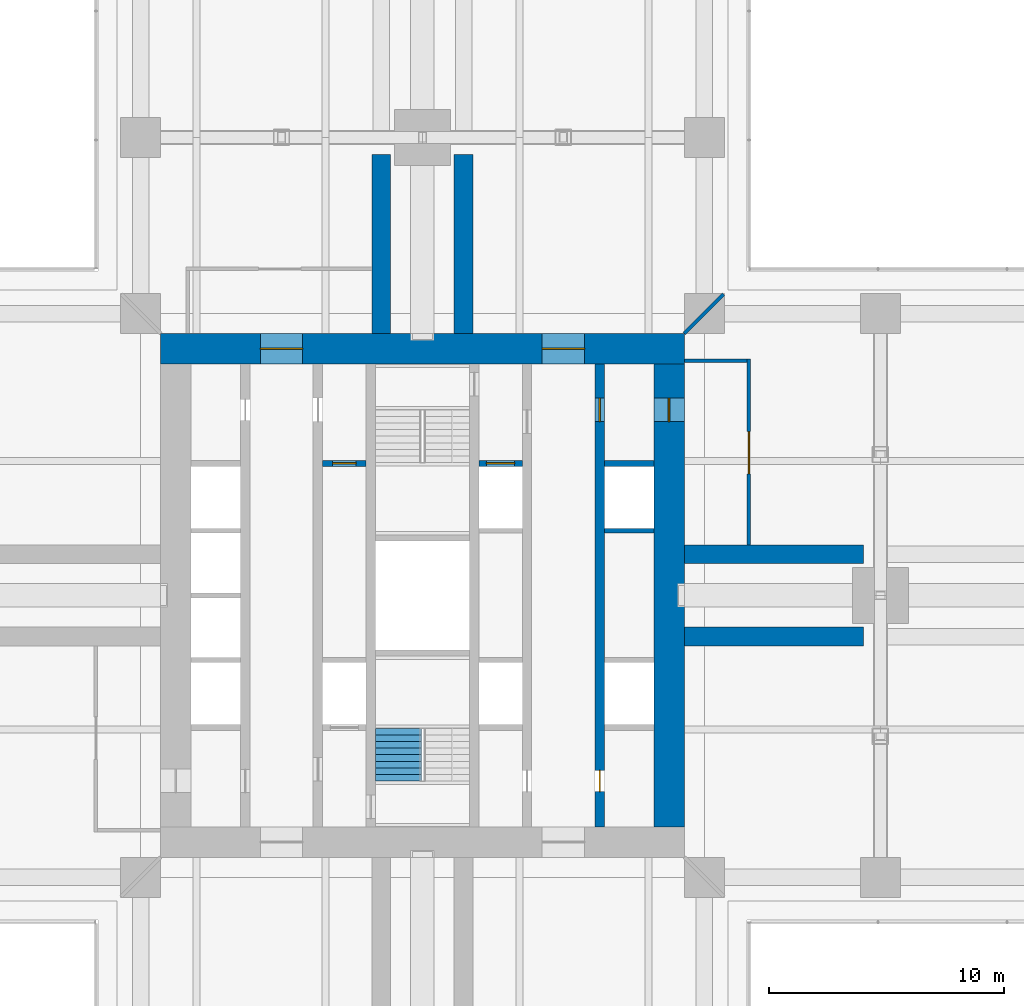
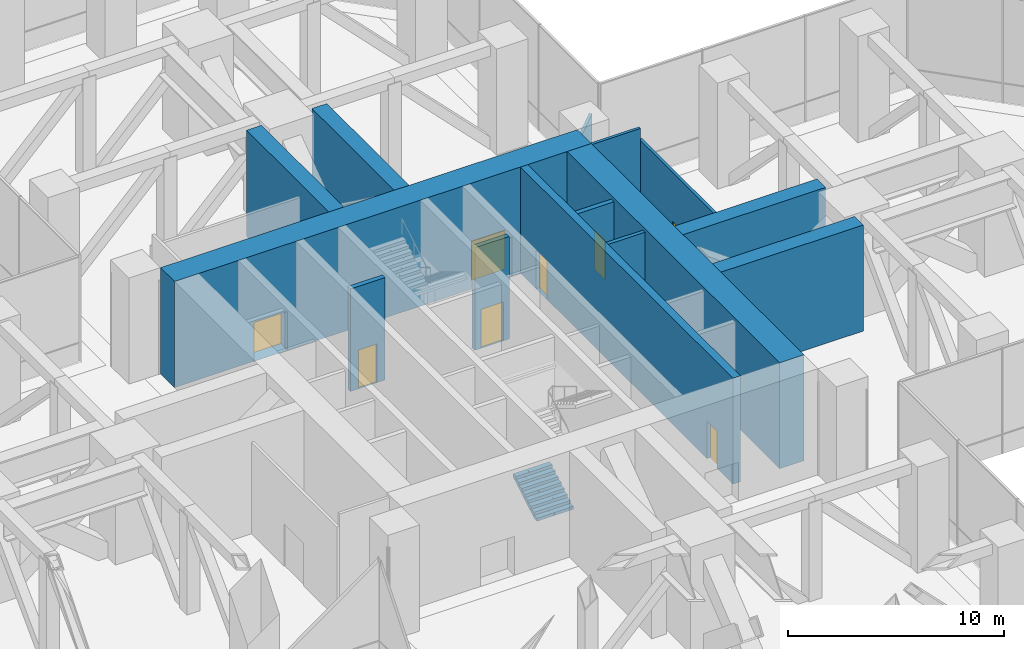
# One storey, part 15 of 19: 14 walls, 8 doors, 1 stair flight, 8 openings, 1 element without a shape of its own.
"""IFC4 building model written with IfcOpenShell, lengths in metres."""

from ifc_helpers import new_model, si_unit, direction, frame, frame_2d, origin, place, context, subcontext, project, spatial, polyline, rectangle, outline, extrude, material, layer, layer_set, type_object, element, fill, aggregate, save


model = new_model("IFC4")

# Units and contexts
model_context = context("Model", 3, precision=1e-05, world=origin(), true_north=direction((0.0, 1.0)))
body_context = subcontext(model_context, "Body", "Model", "MODEL_VIEW")
ifc_project = project(units=[si_unit("LENGTHUNIT", "METRE"), si_unit("AREAUNIT", "SQUARE_METRE"), si_unit("VOLUMEUNIT", "CUBIC_METRE"), si_unit("PLANEANGLEUNIT", "RADIAN"), si_unit("MASSUNIT", "GRAM", prefix="KILO")], contexts=[model_context])

# Site, building, storey
site_placement = place(None, origin())
site = spatial("IfcSite", under=ifc_project, at=site_placement, CompositionType="ELEMENT")
building_placement = place(site_placement, origin())
building = spatial("IfcBuilding", under=site, at=building_placement, Name="Mizan Broadcast Tower", CompositionType="ELEMENT")
storey_placement = place(building_placement, frame((0.0, 0.0, 37.5)))
storey = spatial("IfcBuildingStorey", under=building, at=storey_placement, Name="L06", CompositionType="ELEMENT", Elevation=37.5)

# Wall, openings, doors
ifc_material_1 = material(Name="Concrete C70/85", Category="concrete")
ifc_layer_1 = layer(ifc_material_1, 0.39990234375)
ifc_layer_set_1 = layer_set([ifc_layer_1], Name="Concrete C70/85")
wall_type_1 = type_object("IfcWallType", Name="CORE INTERNAL WALL 400", PredefinedType="SHEAR", material=ifc_layer_set_1)
wall_1_placement = place(storey_placement, frame((7.550048828125, 9.85009765625, 0.0), z_axis=(0.0, 0.0, 1.0), x_axis=(0.0, -1.0, 0.0)))
wall_1 = element("IfcWall", 1, at=wall_1_placement, inside=storey, type_object=wall_type_1, Name="Core wall CORE/XW1E", PredefinedType="SHEAR", context=body_context, shape_type="SweptSolid", body=[
    extrude(rectangle(XDim=19.7001953125, YDim=0.39990234375, at=frame_2d((9.85009765625, 0.0))), origin(), (0.0, 0.0, 1.0), 6.0),
])
opening_1_placement = place(wall_1_placement, frame((1.449951171875, 0.0, 0.0)))
opening_1 = element("IfcOpeningElement", 2, at=opening_1_placement, cuts=wall_1, Name="Opening D10F", PredefinedType="OPENING", context=body_context, shape_type="SweptSolid", body=[
    extrude(rectangle(XDim=1.0, YDim=2.199951171875, at=frame_2d((0.5, 1.10009765625))), frame((0.0, 0.2099609375, 0.0), z_axis=(0.0, -1.0, 0.0), x_axis=(1.0, 0.0, 0.0)), (0.0, 0.0, 1.0), 0.419921875),
])
opening_2_placement = place(wall_1_placement, frame((17.300048828125, 0.0, 0.0)))
opening_2 = element("IfcOpeningElement", 3, at=opening_2_placement, cuts=wall_1, Name="Opening D09", PredefinedType="OPENING", context=body_context, shape_type="SweptSolid", body=[
    extrude(rectangle(XDim=0.89990234375, YDim=2.10009765625, at=frame_2d((0.449951171875, 1.050048828125))), frame((0.0, 0.2099609375, 0.0), z_axis=(0.0, -1.0, 0.0), x_axis=(1.0, 0.0, 0.0)), (0.0, 0.0, 1.0), 0.419921875),
])
ifc_material_2 = material(Name="Steel door leaf in steel frame", Category="steel")
door_type_1 = type_object("IfcDoorType", Name="FIRE DOOR 1000 FD90", OperationType="SINGLE_SWING_LEFT", PredefinedType="DOOR", material=ifc_material_2)
door_1_placement = place(opening_1_placement, origin())
door_1 = element("IfcDoor", 4, at=door_1_placement, inside=storey, type_object=door_type_1, Name="East core passage door", OperationType="SINGLE_SWING_LEFT", OverallHeight=2.199951171875, OverallWidth=1.0, PredefinedType="DOOR", context=body_context, shape_type="SweptSolid", body=[
    extrude(rectangle(XDim=1.0, YDim=2.199951171875, at=frame_2d((0.5, 1.10009765625))), frame((0.0, 0.02490234375, 0.0), z_axis=(0.0, -1.0, 0.0), x_axis=(1.0, 0.0, 0.0)), (0.0, 0.0, 1.0), 0.050048828125),
])
fill(opening_1, door_1)
ifc_material_3 = material(Name="Timber door leaf in aluminium frame", Category="wood")
door_type_2 = type_object("IfcDoorType", Name="TOILET DOOR 900", OperationType="SINGLE_SWING_LEFT", PredefinedType="DOOR", material=ifc_material_3)
door_2_placement = place(opening_2_placement, origin())
door_2 = element("IfcDoor", 5, at=door_2_placement, inside=storey, type_object=door_type_2, Name="Female WC door", OperationType="SINGLE_SWING_RIGHT", OverallHeight=2.10009765625, OverallWidth=0.89990234375, PredefinedType="DOOR", context=body_context, shape_type="SweptSolid", body=[
    extrude(rectangle(XDim=0.89990234375, YDim=2.10009765625, at=frame_2d((0.449951171875, 1.050048828125))), frame((0.0, 0.02490234375, 0.0), z_axis=(0.0, -1.0, 0.0), x_axis=(1.0, 0.0, 0.0)), (0.0, 0.0, 1.0), 0.050048828125),
])
fill(opening_2, door_2)

ifc_material_4 = material(Name="Concrete C70/85", Category="concrete")
ifc_layer_2 = layer(ifc_material_4, 1.300048828125)
ifc_layer_set_2 = layer_set([ifc_layer_2], Name="Concrete C70/85")
wall_type_2 = type_object("IfcWallType", Name="CORE WALL 1300", PredefinedType="SHEAR", material=ifc_layer_set_2)
wall_2_placement = place(storey_placement, frame((-11.14990234375, 10.5, 0.0), z_axis=(0.0, 0.0, 1.0), x_axis=(1.0, 0.0, 0.0)))
wall_2 = element("IfcWall", 6, at=wall_2_placement, inside=storey, type_object=wall_type_2, Name="Core wall N L06", PredefinedType="SHEAR", context=body_context, shape_type="SweptSolid", body=[
    extrude(rectangle(XDim=22.2998046875, YDim=1.300048828125, at=frame_2d((11.14990234375, 0.0))), origin(), (0.0, 0.0, 1.0), 6.0),
])
opening_3_placement = place(wall_2_placement, frame((4.25, 0.0, 0.0)))
opening_3 = element("IfcOpeningElement", 7, at=opening_3_placement, cuts=wall_2, Name="Opening D18F", PredefinedType="OPENING", context=body_context, shape_type="SweptSolid", body=[
    extrude(rectangle(XDim=1.800048828125, YDim=2.199951171875, at=frame_2d((0.89990234375, 1.10009765625))), frame((0.0, 0.659912109375, 0.0), z_axis=(0.0, -1.0, 0.0), x_axis=(1.0, 0.0, 0.0)), (0.0, 0.0, 1.0), 1.320068359375),
])
opening_4_placement = place(wall_2_placement, frame((16.25, 0.0, 0.0)))
opening_4 = element("IfcOpeningElement", 8, at=opening_4_placement, cuts=wall_2, Name="Opening D18F", PredefinedType="OPENING", context=body_context, shape_type="SweptSolid", body=[
    extrude(rectangle(XDim=1.800048828125, YDim=2.199951171875, at=frame_2d((0.89990234375, 1.10009765625))), frame((0.0, 0.659912109375, 0.0), z_axis=(0.0, -1.0, 0.0), x_axis=(1.0, 0.0, 0.0)), (0.0, 0.0, 1.0), 1.320068359375),
])
ifc_material_5 = material(Name="Steel door leaf in steel frame", Category="steel")
door_type_3 = type_object("IfcDoorType", Name="LOBBY DOUBLE DOOR 1800 FD90", OperationType="DOUBLE_DOOR_DOUBLE_SWING", PredefinedType="DOOR", material=ifc_material_5)
door_3_placement = place(opening_3_placement, origin())
door_3 = element("IfcDoor", 9, at=door_3_placement, inside=storey, type_object=door_type_3, Name="West lift lobby north door", OperationType="DOUBLE_DOOR_DOUBLE_SWING", OverallHeight=2.199951171875, OverallWidth=1.800048828125, PredefinedType="DOOR", context=body_context, shape_type="SweptSolid", body=[
    extrude(rectangle(XDim=1.800048828125, YDim=2.199951171875, at=frame_2d((0.89990234375, 1.10009765625))), frame((0.0, 0.02490234375, 0.0), z_axis=(0.0, -1.0, 0.0), x_axis=(1.0, 0.0, 0.0)), (0.0, 0.0, 1.0), 0.050048828125),
])
fill(opening_3, door_3)
door_4_placement = place(opening_4_placement, origin())
door_4 = element("IfcDoor", 10, at=door_4_placement, inside=storey, type_object=door_type_3, Name="East lift lobby north door", OperationType="DOUBLE_DOOR_DOUBLE_SWING", OverallHeight=2.199951171875, OverallWidth=1.800048828125, PredefinedType="DOOR", context=body_context, shape_type="SweptSolid", body=[
    extrude(rectangle(XDim=1.800048828125, YDim=2.199951171875, at=frame_2d((0.89990234375, 1.10009765625))), frame((0.0, 0.02490234375, 0.0), z_axis=(0.0, -1.0, 0.0), x_axis=(1.0, 0.0, 0.0)), (0.0, 0.0, 1.0), 0.050048828125),
])
fill(opening_4, door_4)

# Wall, opening, door
wall_3_placement = place(storey_placement, frame((10.5, -9.85009765625, 0.0), z_axis=(0.0, 0.0, 1.0), x_axis=(0.0, 1.0, 0.0)))
wall_3 = element("IfcWall", 11, at=wall_3_placement, inside=storey, type_object=wall_type_2, Name="Core wall E L06", PredefinedType="SHEAR", context=body_context, shape_type="SweptSolid", body=[
    extrude(rectangle(XDim=19.7001953125, YDim=1.300048828125, at=frame_2d((9.85009765625, 0.0))), origin(), (0.0, 0.0, 1.0), 6.0),
])
opening_5_placement = place(wall_3_placement, frame((17.25, 0.0, 0.0)))
opening_5 = element("IfcOpeningElement", 12, at=opening_5_placement, cuts=wall_3, Name="Opening D10F", PredefinedType="OPENING", context=body_context, shape_type="SweptSolid", body=[
    extrude(rectangle(XDim=1.0, YDim=2.199951171875, at=frame_2d((0.5, 1.10009765625))), frame((0.0, 0.659912109375, 0.0), z_axis=(0.0, -1.0, 0.0), x_axis=(1.0, 0.0, 0.0)), (0.0, 0.0, 1.0), 1.320068359375),
])
door_5_placement = place(opening_5_placement, origin())
door_5 = element("IfcDoor", 13, at=door_5_placement, inside=storey, type_object=door_type_1, Name="East core passage arm door", OperationType="SINGLE_SWING_RIGHT", OverallHeight=2.199951171875, OverallWidth=1.0, PredefinedType="DOOR", context=body_context, shape_type="SweptSolid", body=[
    extrude(rectangle(XDim=1.0, YDim=2.199951171875, at=frame_2d((0.5, 1.10009765625))), frame((0.0, 0.02490234375, 0.0), z_axis=(0.0, -1.0, 0.0), x_axis=(1.0, 0.0, 0.0)), (0.0, 0.0, 1.0), 0.050048828125),
])
fill(opening_5, door_5)

# Wall
ifc_material_6 = material(Name="Concrete blockwork", Category="masonry")
ifc_layer_3 = layer(ifc_material_6, 0.199951171875)
ifc_layer_set_3 = layer_set([ifc_layer_3], Name="Concrete blockwork")
wall_type_3 = type_object("IfcWallType", Name="LIFT SHAFT WALL 200", PredefinedType="SOLIDWALL", material=ifc_layer_set_3)
wall_4_placement = place(storey_placement, frame((7.75, 2.75, 0.0), z_axis=(0.0, 0.0, 1.0), x_axis=(1.0, 0.0, 0.0)))
element("IfcWall", 14, at=wall_4_placement, inside=storey, type_object=wall_type_3, Name="Lift shaft wall CORE/SE1-3", PredefinedType="SOLIDWALL", context=body_context, shape_type="SweptSolid", body=[
    extrude(rectangle(XDim=2.10009765625, YDim=0.199951171875, at=frame_2d((1.050048828125, 0.0))), origin(), (0.0, 0.0, 1.0), 5.800048828125),
])

# Wall, opening, door
ifc_material_7 = material(Name="Concrete blockwork", Category="masonry")
ifc_layer_4 = layer(ifc_material_7, 0.25)
ifc_layer_set_4 = layer_set([ifc_layer_4], Name="Concrete blockwork")
wall_type_4 = type_object("IfcWallType", Name="LOBBY ENCLOSURE WALL 250", PredefinedType="SOLIDWALL", material=ifc_layer_set_4)
wall_5_placement = place(storey_placement, frame((-4.25, 5.625, 0.0), z_axis=(0.0, 0.0, 1.0), x_axis=(1.0, 0.0, 0.0)))
wall_5 = element("IfcWall", 15, at=wall_5_placement, inside=storey, type_object=wall_type_4, Name="Lobby enclosure wall CORE/BW2N", PredefinedType="SOLIDWALL", context=body_context, shape_type="SweptSolid", body=[
    extrude(rectangle(XDim=1.85009765625, YDim=0.25, at=frame_2d((0.925048828125, 0.0))), origin(), (0.0, 0.0, 1.0), 5.800048828125),
])
opening_6_placement = place(wall_5_placement, frame((0.425048828125, 0.0, 0.0)))
opening_6 = element("IfcOpeningElement", 16, at=opening_6_placement, cuts=wall_5, Name="Opening D10F", PredefinedType="OPENING", context=body_context, shape_type="SweptSolid", body=[
    extrude(rectangle(XDim=1.0, YDim=2.199951171875, at=frame_2d((0.5, 1.10009765625))), frame((0.0, 0.135009765625, 0.0), z_axis=(0.0, -1.0, 0.0), x_axis=(1.0, 0.0, 0.0)), (0.0, 0.0, 1.0), 0.27001953125),
])
door_6_placement = place(opening_6_placement, origin())
door_6 = element("IfcDoor", 17, at=door_6_placement, inside=storey, type_object=door_type_1, Name="Pressurisation plant room door", OperationType="SINGLE_SWING_RIGHT", OverallHeight=2.199951171875, OverallWidth=1.0, PredefinedType="DOOR", context=body_context, shape_type="SweptSolid", body=[
    extrude(rectangle(XDim=1.0, YDim=2.199951171875, at=frame_2d((0.5, 1.10009765625))), frame((0.0, 0.02490234375, 0.0), z_axis=(0.0, -1.0, 0.0), x_axis=(1.0, 0.0, 0.0)), (0.0, 0.0, 1.0), 0.050048828125),
])
fill(opening_6, door_6)

wall_6_placement = place(storey_placement, frame((2.39990234375, 5.625, 0.0), z_axis=(0.0, 0.0, 1.0), x_axis=(1.0, 0.0, 0.0)))
wall_6 = element("IfcWall", 18, at=wall_6_placement, inside=storey, type_object=wall_type_4, Name="Lobby enclosure wall CORE/BE2N", PredefinedType="SOLIDWALL", context=body_context, shape_type="SweptSolid", body=[
    extrude(rectangle(XDim=1.85009765625, YDim=0.25, at=frame_2d((0.925048828125, 0.0))), origin(), (0.0, 0.0, 1.0), 5.800048828125),
])
opening_7_placement = place(wall_6_placement, frame((0.324951171875, 0.0, 0.0)))
opening_7 = element("IfcOpeningElement", 19, at=opening_7_placement, cuts=wall_6, Name="Opening LDF", PredefinedType="OPENING", context=body_context, shape_type="SweptSolid", body=[
    extrude(rectangle(XDim=1.199951171875, YDim=2.199951171875, at=frame_2d((0.60009765625, 1.10009765625))), frame((0.0, 0.135009765625, 0.0), z_axis=(0.0, -1.0, 0.0), x_axis=(1.0, 0.0, 0.0)), (0.0, 0.0, 1.0), 0.27001953125),
])
ifc_material_8 = material(Name="Steel door leaf in steel frame", Category="steel")
door_type_4 = type_object("IfcDoorType", Name="FIREFIGHTING LIFT LANDING DOOR 1200", OperationType="SLIDING_TO_LEFT", PredefinedType="DOOR", material=ifc_material_8)
door_7_placement = place(opening_7_placement, origin())
door_7 = element("IfcDoor", 20, at=door_7_placement, inside=storey, type_object=door_type_4, Name="Landing door FF2", OperationType="SLIDING_TO_LEFT", OverallHeight=2.199951171875, OverallWidth=1.199951171875, PredefinedType="DOOR", context=body_context, shape_type="SweptSolid", body=[
    extrude(rectangle(XDim=1.199951171875, YDim=2.199951171875, at=frame_2d((0.60009765625, 1.10009765625))), frame((0.0, 0.02490234375, 0.0), z_axis=(0.0, -1.0, 0.0), x_axis=(1.0, 0.0, 0.0)), (0.0, 0.0, 1.0), 0.050048828125),
])
fill(opening_7, door_7)

# Walls
wall_7_placement = place(storey_placement, frame((7.75, 5.625, 0.0), z_axis=(0.0, 0.0, 1.0), x_axis=(1.0, 0.0, 0.0)))
element("IfcWall", 21, at=wall_7_placement, inside=storey, type_object=wall_type_4, Name="Lobby enclosure wall CORE/BE1N", PredefinedType="SOLIDWALL", context=body_context, shape_type="SweptSolid", body=[
    extrude(rectangle(XDim=2.10009765625, YDim=0.25, at=frame_2d((1.050048828125, 0.0))), origin(), (0.0, 0.0, 1.0), 5.800048828125),
])
ifc_material_9 = material(Name="Gypsum board on steel studs", Category="steel")
ifc_layer_5 = layer(ifc_material_9, 0.14990234375)
ifc_layer_set_5 = layer_set([ifc_layer_5], Name="Gypsum board on steel studs")
wall_type_5 = type_object("IfcWallType", Name="PARTITION 150", PredefinedType="PARTITIONING", material=ifc_layer_set_5)
wall_8_placement = place(storey_placement, frame((11.14990234375, 11.14990234375, 0.0), z_axis=(0.0, 0.0, 1.0), x_axis=(0.707106781187, 0.707106781187, 0.0)))
element("IfcWall", 22, at=wall_8_placement, inside=storey, type_object=wall_type_5, Name="Partition PT/DGEN", PredefinedType="PARTITIONING", context=body_context, shape_type="SweptSolid", body=[
    extrude(rectangle(XDim=2.362060546875, YDim=0.14990234375, at=frame_2d((1.18115234375, 0.0))), origin(), (0.0, 0.0, 1.0), 5.320068359375),
])

# Wall, opening, door
ifc_material_10 = material(Name="Concrete blockwork", Category="masonry")
ifc_layer_6 = layer(ifc_material_10, 0.14990234375)
ifc_layer_set_6 = layer_set([ifc_layer_6], Name="Concrete blockwork")
wall_type_6 = type_object("IfcWallType", Name="PLANT ROOM ENCLOSURE WALL 150", PredefinedType="SOLIDWALL", material=ifc_layer_set_6)
wall_9_placement = place(storey_placement, frame((13.89990234375, 2.14990234375, 0.0), z_axis=(0.0, 0.0, 1.0), x_axis=(0.0, 1.0, 0.0)))
wall_9 = element("IfcWall", 23, at=wall_9_placement, inside=storey, type_object=wall_type_6, Name="Plant room wall PT/ELU", PredefinedType="SOLIDWALL", context=body_context, shape_type="SweptSolid", body=[
    extrude(rectangle(XDim=7.925048828125, YDim=0.14990234375, at=frame_2d((3.96240234375, 0.0))), origin(), (0.0, 0.0, 1.0), 5.179931640625),
])
opening_8_placement = place(wall_9_placement, frame((3.02490234375, 0.0, 0.0)))
opening_8 = element("IfcOpeningElement", 24, at=opening_8_placement, cuts=wall_9, Name="Opening D18P", PredefinedType="OPENING", context=body_context, shape_type="SweptSolid", body=[
    extrude(rectangle(XDim=1.800048828125, YDim=2.39990234375, at=frame_2d((0.89990234375, 1.199951171875))), frame((0.0, 0.0849609375, 0.0), z_axis=(0.0, -1.0, 0.0), x_axis=(1.0, 0.0, 0.0)), (0.0, 0.0, 1.0), 0.169921875),
])
ifc_material_11 = material(Name="Steel door leaf in steel frame", Category="steel")
door_type_5 = type_object("IfcDoorType", Name="PLANT ROOM DOUBLE DOOR 1800x2400 FD90", OperationType="DOUBLE_DOOR_DOUBLE_SWING", PredefinedType="DOOR", material=ifc_material_11)
door_8_placement = place(opening_8_placement, origin())
door_8 = element("IfcDoor", 25, at=door_8_placement, inside=storey, type_object=door_type_5, Name="Mechanical plant room door", OperationType="DOUBLE_DOOR_DOUBLE_SWING", OverallHeight=2.39990234375, OverallWidth=1.800048828125, PredefinedType="DOOR", context=body_context, shape_type="SweptSolid", body=[
    extrude(rectangle(XDim=1.800048828125, YDim=2.39990234375, at=frame_2d((0.89990234375, 1.199951171875))), frame((0.0, 0.02490234375, 0.0), z_axis=(0.0, -1.0, 0.0), x_axis=(1.0, 0.0, 0.0)), (0.0, 0.0, 1.0), 0.050048828125),
])
fill(opening_8, door_8)

# Walls
wall_10_placement = place(storey_placement, frame((11.14990234375, 10.0, 0.0), z_axis=(0.0, 0.0, 1.0), x_axis=(1.0, 0.0, 0.0)))
element("IfcWall", 26, at=wall_10_placement, inside=storey, type_object=wall_type_6, Name="Plant room wall PT/ELV", PredefinedType="SOLIDWALL", context=body_context, shape_type="SweptSolid", body=[
    extrude(rectangle(XDim=2.675048828125, YDim=0.14990234375, at=frame_2d((1.33740234375, 0.0))), origin(), (0.0, 0.0, 1.0), 5.8701171875),
])
ifc_material_12 = material(Name="Concrete C70/85", Category="concrete")
ifc_layer_7 = layer(ifc_material_12, 0.800048828125)
ifc_layer_set_7 = layer_set([ifc_layer_7], Name="Concrete C70/85")
wall_type_7 = type_object("IfcWallType", Name="SPINE WALL 800", PredefinedType="SHEAR", material=ifc_layer_set_7)
for number, where, z_axis, x_axis, name in (
    (27, (11.14990234375, -1.75, 0.0), (0.0, 0.0, 1.0), (1.0, 0.0, 0.0), "Spine wall ER L06"),
    (28, (11.14990234375, 1.75, 0.0), (0.0, 0.0, 1.0), (1.0, 0.0, 0.0), "Spine wall EL L06"),
    (29, (1.75, 11.14990234375, 0.0), (0.0, 0.0, 1.0), (0.0, 1.0, 0.0), "Spine wall NR L06"),
    (30, (-1.75, 11.14990234375, 0.0), (0.0, 0.0, 1.0), (0.0, 1.0, 0.0), "Spine wall NL L06"),
):
    element("IfcWall", number, at=place(storey_placement, frame(where, z_axis=z_axis, x_axis=x_axis)), inside=storey, type_object=wall_type_7, Name=name, PredefinedType="SHEAR", context=body_context, shape_type="SweptSolid", body=[
        extrude(rectangle(XDim=7.625, YDim=0.800048828125, at=frame_2d((3.8125, 0.0))), origin(), (0.0, 0.0, 1.0), 6.0),
    ])

# Stair, stair flight
ifc_material_13 = material(Name="Concrete C40/50", Category="concrete")
stair_type = type_object("IfcStairType", Name="EXIT STAIR", PredefinedType="HALF_TURN_STAIR", material=ifc_material_13)
stair_placement = place(storey_placement, origin())
stair = element("IfcStair", 31, at=stair_placement, inside=storey, type_object=stair_type, Name="Stair A L06", PredefinedType="HALF_TURN_STAIR")
ifc_material_14 = material(Name="Concrete C40/50", Category="concrete")
stair_flight_type = type_object("IfcStairFlightType", Name="EXIT STAIR FLIGHT", PredefinedType="STRAIGHT", material=ifc_material_14)
stair_flight_placement = place(storey_placement, frame((-1.02490234375, -7.89990234375, 0.0), z_axis=(0.0, 0.0, 1.0), x_axis=(0.0, 1.0, 0.0)))
stair_flight = element("IfcStairFlight", 32, at=stair_flight_placement, type_object=stair_flight_type, Name="A flight 1", NumberOfRisers=9, NumberOfTreads=8, PredefinedType="STRAIGHT", RiserHeight=0.166666667, TreadLength=0.28, context=body_context, shape_type="SweptSolid", body=[
    extrude(outline(polyline([(0.0, 0.0), (0.0, 0.166748046875), (0.280029296875, 0.166748046875), (0.280029296875, 0.333251953125), (0.56005859375, 0.333251953125), (0.56005859375, 0.5), (0.840087890625, 0.5), (0.840087890625, 0.666748046875), (1.1201171875, 0.666748046875), (1.1201171875, 0.833251953125), (1.39990234375, 0.833251953125), (1.39990234375, 1.0), (1.679931640625, 1.0), (1.679931640625, 1.166748046875), (1.9599609375, 1.166748046875), (1.9599609375, 1.333251953125), (2.239990234375, 1.333251953125), (2.239990234375, 1.5), (2.239990234375, 1.158935546875), (0.29296875, 0.0), (0.0, 0.0)])), frame((0.0, 0.97509765625, 0.0), z_axis=(0.0, -1.0, 0.0), x_axis=(1.0, 0.0, 0.0)), (0.0, 0.0, 1.0), 0.4873046875),
    extrude(outline(polyline([(0.0, 0.0), (0.0, 0.166748046875), (0.280029296875, 0.166748046875), (0.280029296875, 0.333251953125), (0.56005859375, 0.333251953125), (0.56005859375, 0.5), (0.840087890625, 0.5), (0.840087890625, 0.666748046875), (1.1201171875, 0.666748046875), (1.1201171875, 0.833251953125), (1.39990234375, 0.833251953125), (1.39990234375, 1.0), (1.679931640625, 1.0), (1.679931640625, 1.166748046875), (1.9599609375, 1.166748046875), (1.9599609375, 1.333251953125), (2.239990234375, 1.333251953125), (2.239990234375, 1.5), (2.239990234375, 1.158935546875), (0.29296875, 0.0), (0.0, 0.0)])), frame((0.0, 0.4873046875, 0.0), z_axis=(0.0, -1.0, 0.0), x_axis=(1.0, 0.0, 0.0)), (0.0, 0.0, 1.0), 0.2431640625),
    extrude(outline(polyline([(0.0, 0.0), (0.0, 0.166748046875), (0.280029296875, 0.166748046875), (0.280029296875, 0.333251953125), (0.56005859375, 0.333251953125), (0.56005859375, 0.5), (0.840087890625, 0.5), (0.840087890625, 0.666748046875), (1.1201171875, 0.666748046875), (1.1201171875, 0.833251953125), (1.39990234375, 0.833251953125), (1.39990234375, 1.0), (1.679931640625, 1.0), (1.679931640625, 1.166748046875), (1.9599609375, 1.166748046875), (1.9599609375, 1.333251953125), (2.239990234375, 1.333251953125), (2.239990234375, 1.5), (2.239990234375, 1.158935546875), (0.29296875, 0.0), (0.0, 0.0)])), frame((0.0, 0.24365234375, 0.0), z_axis=(0.0, -1.0, 0.0), x_axis=(1.0, 0.0, 0.0)), (0.0, 0.0, 1.0), 0.121337890625),
    extrude(outline(polyline([(0.0, 0.0), (0.0, 0.166748046875), (0.280029296875, 0.166748046875), (0.280029296875, 0.333251953125), (0.56005859375, 0.333251953125), (0.56005859375, 0.5), (0.840087890625, 0.5), (0.840087890625, 0.666748046875), (1.1201171875, 0.666748046875), (1.1201171875, 0.833251953125), (1.39990234375, 0.833251953125), (1.39990234375, 1.0), (1.679931640625, 1.0), (1.679931640625, 1.166748046875), (1.9599609375, 1.166748046875), (1.9599609375, 1.333251953125), (2.239990234375, 1.333251953125), (2.239990234375, 1.5), (2.239990234375, 1.158935546875), (0.29296875, 0.0), (0.0, 0.0)])), frame((0.0, 0.121826171875, 0.0), z_axis=(0.0, -1.0, 0.0), x_axis=(1.0, 0.0, 0.0)), (0.0, 0.0, 1.0), 0.060546875),
    extrude(outline(polyline([(0.0, 0.0), (0.0, 0.166748046875), (0.280029296875, 0.166748046875), (0.280029296875, 0.333251953125), (0.56005859375, 0.333251953125), (0.56005859375, 0.5), (0.840087890625, 0.5), (0.840087890625, 0.666748046875), (1.1201171875, 0.666748046875), (1.1201171875, 0.833251953125), (1.39990234375, 0.833251953125), (1.39990234375, 1.0), (1.679931640625, 1.0), (1.679931640625, 1.166748046875), (1.9599609375, 1.166748046875), (1.9599609375, 1.333251953125), (2.239990234375, 1.333251953125), (2.239990234375, 1.5), (2.239990234375, 1.158935546875), (0.29296875, 0.0), (0.0, 0.0)])), frame((0.0, 0.060791015625, 0.0), z_axis=(0.0, -1.0, 0.0), x_axis=(1.0, 0.0, 0.0)), (0.0, 0.0, 1.0), 0.030029296875),
    extrude(outline(polyline([(0.0, 0.0), (0.0, 0.166748046875), (0.280029296875, 0.166748046875), (0.280029296875, 0.333251953125), (0.56005859375, 0.333251953125), (0.56005859375, 0.5), (0.840087890625, 0.5), (0.840087890625, 0.666748046875), (1.1201171875, 0.666748046875), (1.1201171875, 0.833251953125), (1.39990234375, 0.833251953125), (1.39990234375, 1.0), (1.679931640625, 1.0), (1.679931640625, 1.166748046875), (1.9599609375, 1.166748046875), (1.9599609375, 1.333251953125), (2.239990234375, 1.333251953125), (2.239990234375, 1.5), (2.239990234375, 1.158935546875), (0.29296875, 0.0), (0.0, 0.0)])), frame((0.0, 0.0302734375, 0.0), z_axis=(0.0, -1.0, 0.0), x_axis=(1.0, 0.0, 0.0)), (0.0, 0.0, 1.0), 0.060302734375),
    extrude(outline(polyline([(0.0, 0.0), (0.0, 0.166748046875), (0.280029296875, 0.166748046875), (0.280029296875, 0.333251953125), (0.56005859375, 0.333251953125), (0.56005859375, 0.5), (0.840087890625, 0.5), (0.840087890625, 0.666748046875), (1.1201171875, 0.666748046875), (1.1201171875, 0.833251953125), (1.39990234375, 0.833251953125), (1.39990234375, 1.0), (1.679931640625, 1.0), (1.679931640625, 1.166748046875), (1.9599609375, 1.166748046875), (1.9599609375, 1.333251953125), (2.239990234375, 1.333251953125), (2.239990234375, 1.5), (2.239990234375, 1.158935546875), (0.29296875, 0.0), (0.0, 0.0)])), frame((0.0, -0.030517578125, 0.0), z_axis=(0.0, -1.0, 0.0), x_axis=(1.0, 0.0, 0.0)), (0.0, 0.0, 1.0), 0.030029296875),
    extrude(outline(polyline([(0.0, 0.0), (0.0, 0.166748046875), (0.280029296875, 0.166748046875), (0.280029296875, 0.333251953125), (0.56005859375, 0.333251953125), (0.56005859375, 0.5), (0.840087890625, 0.5), (0.840087890625, 0.666748046875), (1.1201171875, 0.666748046875), (1.1201171875, 0.833251953125), (1.39990234375, 0.833251953125), (1.39990234375, 1.0), (1.679931640625, 1.0), (1.679931640625, 1.166748046875), (1.9599609375, 1.166748046875), (1.9599609375, 1.333251953125), (2.239990234375, 1.333251953125), (2.239990234375, 1.5), (2.239990234375, 1.158935546875), (0.29296875, 0.0), (0.0, 0.0)])), frame((0.0, -0.06103515625, 0.0), z_axis=(0.0, -1.0, 0.0), x_axis=(1.0, 0.0, 0.0)), (0.0, 0.0, 1.0), 0.060546875),
    extrude(outline(polyline([(0.0, 0.0), (0.0, 0.166748046875), (0.280029296875, 0.166748046875), (0.280029296875, 0.333251953125), (0.56005859375, 0.333251953125), (0.56005859375, 0.5), (0.840087890625, 0.5), (0.840087890625, 0.666748046875), (1.1201171875, 0.666748046875), (1.1201171875, 0.833251953125), (1.39990234375, 0.833251953125), (1.39990234375, 1.0), (1.679931640625, 1.0), (1.679931640625, 1.166748046875), (1.9599609375, 1.166748046875), (1.9599609375, 1.333251953125), (2.239990234375, 1.333251953125), (2.239990234375, 1.5), (2.239990234375, 1.158935546875), (0.29296875, 0.0), (0.0, 0.0)])), frame((0.0, -0.1220703125, 0.0), z_axis=(0.0, -1.0, 0.0), x_axis=(1.0, 0.0, 0.0)), (0.0, 0.0, 1.0), 0.121337890625),
    extrude(outline(polyline([(0.0, 0.0), (0.0, 0.166748046875), (0.280029296875, 0.166748046875), (0.280029296875, 0.333251953125), (0.56005859375, 0.333251953125), (0.56005859375, 0.5), (0.840087890625, 0.5), (0.840087890625, 0.666748046875), (1.1201171875, 0.666748046875), (1.1201171875, 0.833251953125), (1.39990234375, 0.833251953125), (1.39990234375, 1.0), (1.679931640625, 1.0), (1.679931640625, 1.166748046875), (1.9599609375, 1.166748046875), (1.9599609375, 1.333251953125), (2.239990234375, 1.333251953125), (2.239990234375, 1.5), (2.239990234375, 1.158935546875), (0.29296875, 0.0), (0.0, 0.0)])), frame((0.0, -0.243896484375, 0.0), z_axis=(0.0, -1.0, 0.0), x_axis=(1.0, 0.0, 0.0)), (0.0, 0.0, 1.0), 0.2431640625),
    extrude(outline(polyline([(0.0, 0.0), (0.0, 0.166748046875), (0.280029296875, 0.166748046875), (0.280029296875, 0.333251953125), (0.56005859375, 0.333251953125), (0.56005859375, 0.5), (0.840087890625, 0.5), (0.840087890625, 0.666748046875), (1.1201171875, 0.666748046875), (1.1201171875, 0.833251953125), (1.39990234375, 0.833251953125), (1.39990234375, 1.0), (1.679931640625, 1.0), (1.679931640625, 1.166748046875), (1.9599609375, 1.166748046875), (1.9599609375, 1.333251953125), (2.239990234375, 1.333251953125), (2.239990234375, 1.5), (2.239990234375, 1.158935546875), (0.29296875, 0.0), (0.0, 0.0)])), frame((0.0, -0.487548828125, 0.0), z_axis=(0.0, -1.0, 0.0), x_axis=(1.0, 0.0, 0.0)), (0.0, 0.0, 1.0), 0.4873046875),
])
aggregate(stair, [stair_flight])

save(model, "model.ifc")
